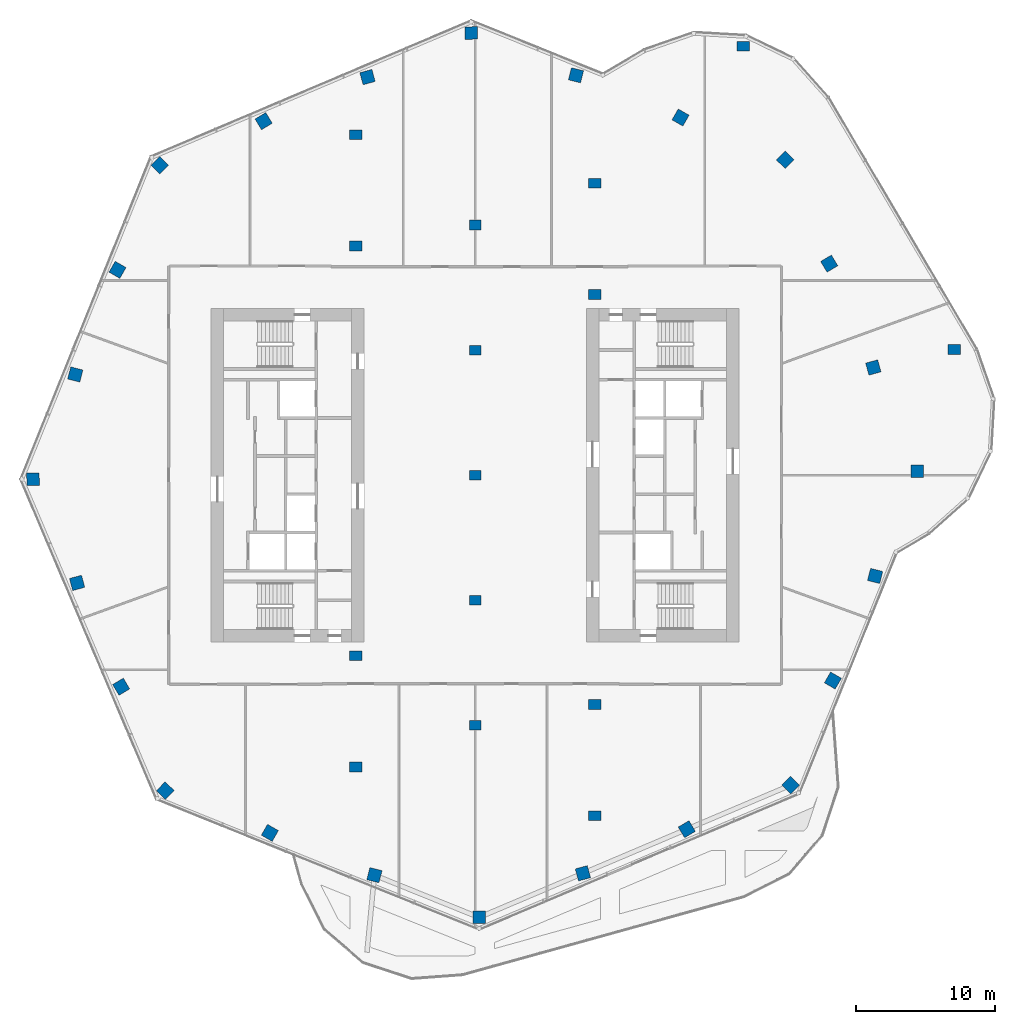
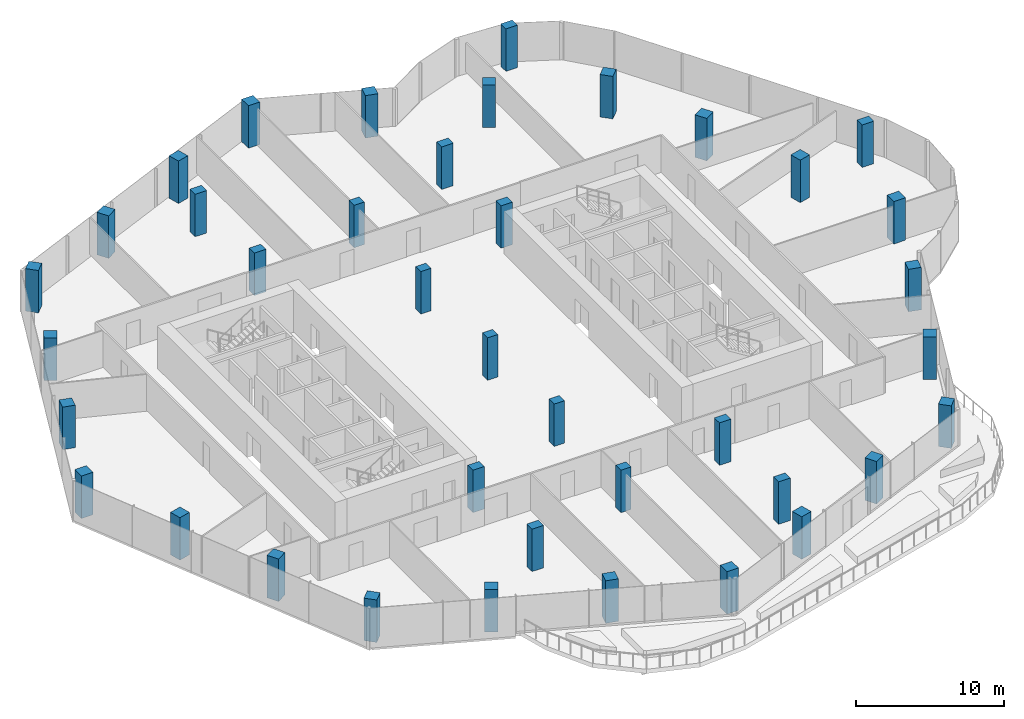
# One storey, part 1 of 17: 39 columns.
"""IFC4 building model written with IfcOpenShell, lengths in metres."""

from ifc_helpers import new_model, si_unit, direction, frame, origin, origin_2d, place, context, subcontext, project, spatial, rectangle, extrude, material, material_profile, profile_set, type_object, element, save


model = new_model("IFC4")

# Units and contexts
model_context = context("Model", 3, precision=1e-05, world=origin(), true_north=direction((0.0, 1.0)))
body_context = subcontext(model_context, "Body", "Model", "MODEL_VIEW")
ifc_project = project(units=[si_unit("LENGTHUNIT", "METRE"), si_unit("AREAUNIT", "SQUARE_METRE"), si_unit("VOLUMEUNIT", "CUBIC_METRE"), si_unit("PLANEANGLEUNIT", "RADIAN"), si_unit("MASSUNIT", "GRAM", prefix="KILO")], contexts=[model_context])

# Site, building, storey
site_placement = place(None, origin())
site = spatial("IfcSite", under=ifc_project, at=site_placement, CompositionType="ELEMENT")
building_placement = place(site_placement, origin())
building = spatial("IfcBuilding", under=site, at=building_placement, Name="Orlundy Tower", CompositionType="ELEMENT")
storey_placement = place(building_placement, frame((0.0, 0.0, 296.39990234375)))
storey = spatial("IfcBuildingStorey", under=building, at=storey_placement, Name="L79", CompositionType="ELEMENT", Elevation=296.39990234375)

# Columns
ifc_material_1 = material(Name="Concrete C50/60", Category="concrete")
ifc_material_profile_1 = material_profile(ifc_material_1, rectangle(XDim=0.800048828125, YDim=0.699951171875, at=origin_2d()), Name="RC800X700")
ifc_profile_set_1 = profile_set([ifc_material_profile_1], Name="Concrete C50/60")
column_type_1 = type_object("IfcColumnType", Name="RC COLUMN RC800X700 C50/60", PredefinedType="COLUMN", material=ifc_profile_set_1)
for number, where, z_axis, x_axis, name in (
    (1, (0.0, -18.0, 0.0), (0.0, 0.0, 1.0), (1.0, 0.0, 0.0), "Column C-M1 L79"),
    (2, (0.0, -9.0, 0.0), (0.0, 0.0, 1.0), (1.0, 0.0, 0.0), "Column C-M2 L79"),
    (3, (0.0, 0.0, 0.0), (0.0, 0.0, 1.0), (1.0, 0.0, 0.0), "Column C-M3 L79"),
    (4, (0.0, 9.0, 0.0), (0.0, 0.0, 1.0), (1.0, 0.0, 0.0), "Column C-M4 L79"),
    (5, (0.0, 18.0, 0.0), (0.0, 0.0, 1.0), (1.0, 0.0, 0.0), "Column C-M5 L79"),
):
    element("IfcColumn", number, at=place(storey_placement, frame(where, z_axis=z_axis, x_axis=x_axis)), inside=storey, type_object=column_type_1, Name=name, PredefinedType="COLUMN", context=body_context, shape_type="SweptSolid", body=[
        extrude(rectangle(XDim=0.800048828125, YDim=0.699951171875, at=origin_2d()), origin(), (0.0, 0.0, 1.0), 3.5),
    ])
ifc_material_2 = material(Name="Concrete C50/60", Category="concrete")
ifc_material_profile_2 = material_profile(ifc_material_2, rectangle(XDim=0.89990234375, YDim=0.699951171875, at=origin_2d()), Name="RC900X700")
ifc_profile_set_2 = profile_set([ifc_material_profile_2], Name="Concrete C50/60")
column_type_2 = type_object("IfcColumnType", Name="RC COLUMN RC900X700 C50/60", PredefinedType="COLUMN", material=ifc_profile_set_2)
for number, where, z_axis, x_axis, name in (
    (6, (34.47705078125, 9.051025390625, 0.0), (0.0, 0.0, 1.0), (1.0, 0.0, 0.0), "Column C-A2-6 L79"),
    (7, (19.302001953125, 30.860107421875, 0.0), (0.0, 0.0, 1.0), (1.0, 0.0, 0.0), "Column C-A5-6 L79"),
    (8, (8.60009765625, -24.5, 0.0), (0.0, 0.0, 1.0), (1.0, 0.0, 0.0), "Column C-SE2 L79"),
    (9, (8.60009765625, -16.5, 0.0), (0.0, 0.0, 1.0), (1.0, 0.0, 0.0), "Column C-SE3 L79"),
    (10, (8.60009765625, 13.0, 0.0), (0.0, 0.0, 1.0), (1.0, 0.0, 0.0), "Column C-SE4 L79"),
    (11, (8.60009765625, 21.0, 0.0), (0.0, 0.0, 1.0), (1.0, 0.0, 0.0), "Column C-SE5 L79"),
    (12, (-8.60009765625, 24.5, 0.0), (0.0, 0.0, 1.0), (1.0, 0.0, 0.0), "Column C-SW1 L79"),
    (13, (-8.60009765625, 16.5, 0.0), (0.0, 0.0, 1.0), (1.0, 0.0, 0.0), "Column C-SW2 L79"),
    (14, (-8.60009765625, -13.0, 0.0), (0.0, 0.0, 1.0), (1.0, 0.0, 0.0), "Column C-SW3 L79"),
    (15, (-8.60009765625, -21.0, 0.0), (0.0, 0.0, 1.0), (1.0, 0.0, 0.0), "Column C-SW4 L79"),
):
    element("IfcColumn", number, at=place(storey_placement, frame(where, z_axis=z_axis, x_axis=x_axis)), inside=storey, type_object=column_type_2, Name=name, PredefinedType="COLUMN", context=body_context, shape_type="SweptSolid", body=[
        extrude(rectangle(XDim=0.89990234375, YDim=0.699951171875, at=origin_2d()), origin(), (0.0, 0.0, 1.0), 3.5),
    ])
ifc_material_3 = material(Name="Concrete C50/60", Category="concrete")
ifc_material_profile_3 = material_profile(ifc_material_3, rectangle(XDim=0.89990234375, YDim=0.89990234375, at=origin_2d()), Name="RC900X900")
ifc_profile_set_3 = profile_set([ifc_material_profile_3], Name="Concrete C50/60")
column_type_3 = type_object("IfcColumnType", Name="RC COLUMN RC900X900 C50/60", PredefinedType="COLUMN", material=ifc_profile_set_3)
for number, where, z_axis, x_axis, name in (
    (16, (-0.278076171875, 31.821044921875, 0.0), (0.0, 0.0, 1.0), (-0.008743988125, 0.999961770605, 0.0), "Column C-H01 L79"),
    (17, (7.25, 28.780029296875, 0.0), (0.0, 0.0, 1.0), (0.244275126238, 0.969705967137, 0.0), "Column C-H02 L79"),
    (18, (14.777099609375, 25.739013671875, 0.0), (0.0, 0.0, 1.0), (0.49789754642, 0.867235857924, 0.0), "Column C-H03 L79"),
    (19, (22.304931640625, 22.697021484375, 0.0), (0.0, 0.0, 1.0), (0.700921712762, 0.713238215871, 0.0), "Column C-H04 L79"),
    (20, (25.47705078125, 15.22412109375, 0.0), (0.0, 0.0, 1.0), (0.858414263358, 0.512957066881, 0.0), "Column C-H05 L79"),
    (21, (28.64892578125, 7.7509765625, 0.0), (0.0, 0.0, 1.0), (0.965295087436, 0.261161624617, 0.0), "Column C-H06 L79"),
    (22, (31.821044921875, 0.278076171875, 0.0), (0.0, 0.0, 1.0), (0.999961770605, 0.008743988125, 0.0), "Column C-H07 L79"),
    (23, (28.780029296875, -7.25, 0.0), (0.0, 0.0, 1.0), (0.969705967137, -0.244275126238, 0.0), "Column C-H08 L79"),
    (24, (25.739013671875, -14.777099609375, 0.0), (0.0, 0.0, 1.0), (0.867235857924, -0.49789754642, 0.0), "Column C-H09 L79"),
    (25, (22.697021484375, -22.304931640625, 0.0), (0.0, 0.0, 1.0), (0.713238215871, -0.700921712762, 0.0), "Column C-H10 L79"),
    (26, (15.22412109375, -25.47705078125, 0.0), (0.0, 0.0, 1.0), (0.512957066881, -0.858414263358, 0.0), "Column C-H11 L79"),
    (27, (7.7509765625, -28.64892578125, 0.0), (0.0, 0.0, 1.0), (0.261161624617, -0.965295087436, 0.0), "Column C-H12 L79"),
    (28, (0.278076171875, -31.821044921875, 0.0), (0.0, 0.0, 1.0), (0.008743988125, -0.999961770605, 0.0), "Column C-H13 L79"),
    (29, (-7.25, -28.780029296875, 0.0), (0.0, 0.0, 1.0), (-0.244275126238, -0.969705967137, 0.0), "Column C-H14 L79"),
    (30, (-14.777099609375, -25.739013671875, 0.0), (0.0, 0.0, 1.0), (-0.49789754642, -0.867235857924, 0.0), "Column C-H15 L79"),
    (31, (-22.304931640625, -22.697021484375, 0.0), (0.0, 0.0, 1.0), (-0.700921712762, -0.713238215871, 0.0), "Column C-H16 L79"),
    (32, (-25.47705078125, -15.22412109375, 0.0), (0.0, 0.0, 1.0), (-0.858414263358, -0.512957066881, 0.0), "Column C-H17 L79"),
    (33, (-28.64892578125, -7.7509765625, 0.0), (0.0, 0.0, 1.0), (-0.965295087436, -0.261161624617, 0.0), "Column C-H18 L79"),
    (34, (-31.821044921875, -0.278076171875, 0.0), (0.0, 0.0, 1.0), (-0.999961770605, -0.008743988125, 0.0), "Column C-H19 L79"),
    (35, (-28.780029296875, 7.25, 0.0), (0.0, 0.0, 1.0), (-0.969705967137, 0.244275126238, 0.0), "Column C-H20 L79"),
    (36, (-25.739013671875, 14.777099609375, 0.0), (0.0, 0.0, 1.0), (-0.867235857924, 0.49789754642, 0.0), "Column C-H21 L79"),
    (37, (-22.697021484375, 22.304931640625, 0.0), (0.0, 0.0, 1.0), (-0.713238215871, 0.700921712762, 0.0), "Column C-H22 L79"),
    (38, (-15.22412109375, 25.47705078125, 0.0), (0.0, 0.0, 1.0), (-0.512957066881, 0.858414263358, 0.0), "Column C-H23 L79"),
    (39, (-7.7509765625, 28.64892578125, 0.0), (0.0, 0.0, 1.0), (-0.261161624617, 0.965295087436, 0.0), "Column C-H24 L79"),
):
    element("IfcColumn", number, at=place(storey_placement, frame(where, z_axis=z_axis, x_axis=x_axis)), inside=storey, type_object=column_type_3, Name=name, PredefinedType="COLUMN", context=body_context, shape_type="SweptSolid", body=[
        extrude(rectangle(XDim=0.89990234375, YDim=0.89990234375, at=origin_2d()), origin(), (0.0, 0.0, 1.0), 3.5),
    ])

save(model, "model.ifc")
